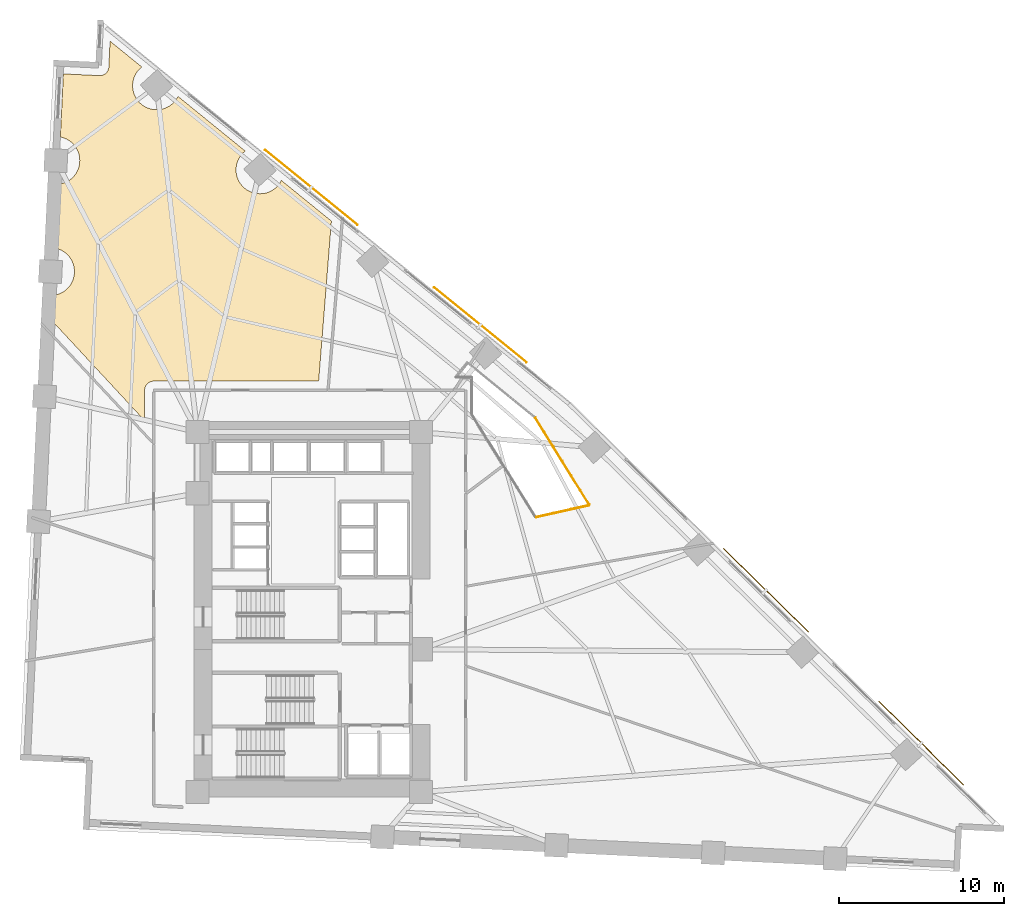
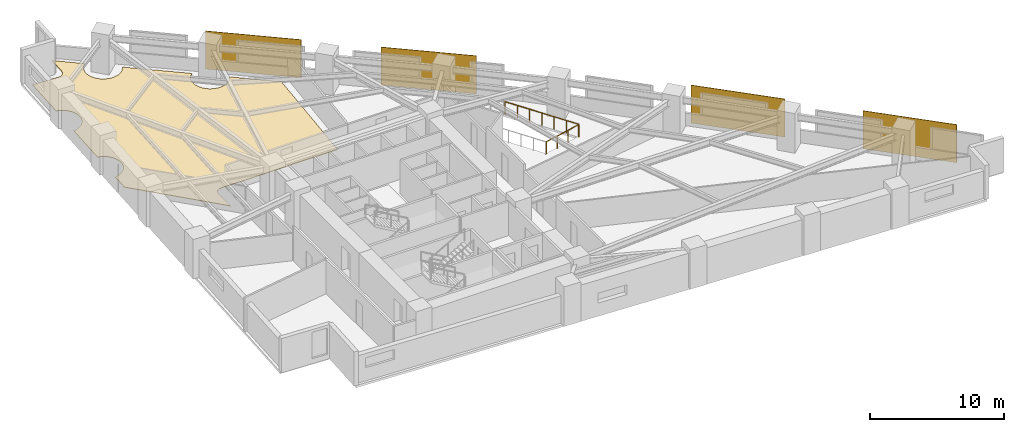
# One storey, part 17 of 17: 4 shading devices, 2 railings, 1 covering.
"""IFC4 building model written with IfcOpenShell, lengths in metres."""

from ifc_helpers import new_model, si_unit, direction, frame, origin, origin_2d, place, context, subcontext, project, spatial, polyline, rectangle, circle, outline, extrude, material, layer, layer_set, type_object, element, save


model = new_model("IFC4")

# Units and contexts
model_context = context("Model", 3, precision=1e-05, world=origin(), true_north=direction((0.0, 1.0)))
body_context = subcontext(model_context, "Body", "Model", "MODEL_VIEW")
ifc_project = project(units=[si_unit("LENGTHUNIT", "METRE"), si_unit("AREAUNIT", "SQUARE_METRE"), si_unit("VOLUMEUNIT", "CUBIC_METRE"), si_unit("PLANEANGLEUNIT", "RADIAN"), si_unit("MASSUNIT", "GRAM", prefix="KILO")], contexts=[model_context])

# Site, building, storey
site_placement = place(None, origin())
site = spatial("IfcSite", under=ifc_project, at=site_placement, CompositionType="ELEMENT")
building_placement = place(site_placement, origin())
building = spatial("IfcBuilding", under=site, at=building_placement, Name="Narakoshi Arena Tower", CompositionType="ELEMENT")
storey_placement = place(building_placement, frame((0.0, 0.0, 55.5)))
storey = spatial("IfcBuildingStorey", under=building, at=storey_placement, Name="L14", CompositionType="ELEMENT", Elevation=55.5)

# Covering
ifc_material_1 = material(Name="Raised steel access floor panel", Category="steel")
ifc_layer_1 = layer(ifc_material_1, 0.044921875)
ifc_layer_set_1 = layer_set([ifc_layer_1], Name="Raised steel access floor panel")
covering_type = type_object("IfcCoveringType", Name="COV-FLR-RF45", PredefinedType="FLOORING", material=ifc_layer_set_1)
covering_placement = place(storey_placement, origin())
element("IfcCovering", 1, at=covering_placement, inside=storey, type_object=covering_type, Name="L14 Raised Steel Access Floor", PredefinedType="FLOORING", context=body_context, shape_type="SweptSolid", body=[
    extrude(outline(polyline([(66.1171875, 78.10009765625), (66.1708984375, 78.10546875), (66.2236328125, 78.1162109375), (66.275390625, 78.1318359375), (66.3251953125, 78.152587890625), (66.372802734375, 78.177978515625), (66.41748046875, 78.2080078125), (66.459228515625, 78.242431640625), (66.497314453125, 78.280517578125), (66.531494140625, 78.322265625), (66.5615234375, 78.3671875), (66.5869140625, 78.414794921875), (66.607666015625, 78.46484375), (66.623291015625, 78.516357421875), (66.633544921875, 78.5693359375), (66.638916015625, 78.623046875), (66.7138671875, 80.185302734375), (68.63623046875, 78.622802734375), (68.611083984375, 78.60400390625), (68.505615234375, 78.508544921875), (68.41015625, 78.403076171875), (68.325439453125, 78.288818359375), (68.252197265625, 78.166748046875), (68.19140625, 78.0380859375), (68.143310546875, 77.904052734375), (68.10888671875, 77.76611328125), (68.087890625, 77.625244140625), (68.0810546875, 77.483154296875), (68.087890625, 77.341064453125), (68.10888671875, 77.2001953125), (68.143310546875, 77.062255859375), (68.19140625, 76.92822265625), (68.252197265625, 76.7998046875), (68.325439453125, 76.677490234375), (68.41015625, 76.563232421875), (68.505615234375, 76.4580078125), (68.611083984375, 76.3623046875), (68.725341796875, 76.277587890625), (68.847412109375, 76.204345703125), (68.97607421875, 76.1435546875), (69.110107421875, 76.095703125), (69.248046875, 76.06103515625), (69.388916015625, 76.040283203125), (69.531005859375, 76.033203125), (69.673095703125, 76.040283203125), (69.81396484375, 76.06103515625), (69.951904296875, 76.095703125), (70.0859375, 76.1435546875), (70.214599609375, 76.204345703125), (70.336669921875, 76.277587890625), (70.450927734375, 76.3623046875), (70.556396484375, 76.4580078125), (70.65185546875, 76.563232421875), (70.736572265625, 76.677490234375), (70.809814453125, 76.7998046875), (70.8291015625, 76.84033203125), (74.899658203125, 73.531982421875), (74.87451171875, 73.51318359375), (74.76904296875, 73.417724609375), (74.67333984375, 73.312255859375), (74.588623046875, 73.197998046875), (74.515380859375, 73.075927734375), (74.45458984375, 72.947265625), (74.40673828125, 72.813232421875), (74.372314453125, 72.67529296875), (74.351318359375, 72.534423828125), (74.34423828125, 72.392333984375), (74.351318359375, 72.250244140625), (74.372314453125, 72.109619140625), (74.40673828125, 71.971435546875), (74.45458984375, 71.83740234375), (74.515380859375, 71.708984375), (74.588623046875, 71.5869140625), (74.67333984375, 71.472412109375), (74.76904296875, 71.3671875), (74.87451171875, 71.271484375), (74.98876953125, 71.186767578125), (75.11083984375, 71.113525390625), (75.239501953125, 71.052734375), (75.373291015625, 71.0048828125), (75.511474609375, 70.97021484375), (75.652099609375, 70.949462890625), (75.794189453125, 70.9423828125), (75.936279296875, 70.949462890625), (76.0771484375, 70.97021484375), (76.215087890625, 71.0048828125), (76.34912109375, 71.052734375), (76.477783203125, 71.113525390625), (76.599853515625, 71.186767578125), (76.714111328125, 71.271484375), (76.819580078125, 71.3671875), (76.915283203125, 71.472412109375), (77.0, 71.5869140625), (77.072998046875, 71.708984375), (77.09228515625, 71.749755859375), (80.121337890625, 69.287841796875), (79.349609375, 59.592529296875), (69.357421875, 59.592529296875), (69.3037109375, 59.58984375), (69.250244140625, 59.581787109375), (69.19775390625, 59.56884765625), (69.14697265625, 59.550537109375), (69.09814453125, 59.527587890625), (69.052001953125, 59.499755859375), (69.008544921875, 59.4677734375), (68.968505859375, 59.431396484375), (68.932373046875, 59.391357421875), (68.900146484375, 59.34814453125), (68.872314453125, 59.3017578125), (68.849365234375, 59.2529296875), (68.831298828125, 59.2021484375), (68.818115234375, 59.14990234375), (68.81005859375, 59.096435546875), (68.8076171875, 59.04248046875), (68.8076171875, 57.198486328125), (63.168701171875, 63.277099609375), (63.2412109375, 64.784912109375), (63.247314453125, 64.785400390625), (63.387939453125, 64.80615234375), (63.52587890625, 64.8408203125), (63.659912109375, 64.888671875), (63.78857421875, 64.949462890625), (63.91064453125, 65.022705078125), (64.02490234375, 65.107421875), (64.13037109375, 65.202880859375), (64.22607421875, 65.308349609375), (64.310791015625, 65.422607421875), (64.3837890625, 65.544921875), (64.444580078125, 65.67333984375), (64.49267578125, 65.807373046875), (64.527099609375, 65.9453125), (64.548095703125, 66.086181640625), (64.55517578125, 66.228271484375), (64.548095703125, 66.370361328125), (64.527099609375, 66.51123046875), (64.49267578125, 66.649169921875), (64.444580078125, 66.783203125), (64.3837890625, 66.911865234375), (64.310791015625, 67.033935546875), (64.22607421875, 67.148193359375), (64.13037109375, 67.253662109375), (64.02490234375, 67.34912109375), (63.91064453125, 67.433837890625), (63.78857421875, 67.507080078125), (63.659912109375, 67.56787109375), (63.52587890625, 67.615966796875), (63.387939453125, 67.650390625), (63.37890625, 67.65185546875), (63.564208984375, 71.51318359375), (63.5703125, 71.513671875), (63.711181640625, 71.534423828125), (63.84912109375, 71.569091796875), (63.983154296875, 71.616943359375), (64.11181640625, 71.677734375), (64.23388671875, 71.7509765625), (64.34814453125, 71.835693359375), (64.45361328125, 71.931396484375), (64.54931640625, 72.03662109375), (64.6337890625, 72.15087890625), (64.70703125, 72.273193359375), (64.767822265625, 72.401611328125), (64.81591796875, 72.53564453125), (64.850341796875, 72.673583984375), (64.871337890625, 72.814453125), (64.87841796875, 72.95654296875), (64.871337890625, 73.0986328125), (64.850341796875, 73.239501953125), (64.81591796875, 73.37744140625), (64.767822265625, 73.511474609375), (64.70703125, 73.64013671875), (64.6337890625, 73.76220703125), (64.54931640625, 73.87646484375), (64.45361328125, 73.98193359375), (64.34814453125, 74.077392578125), (64.23388671875, 74.162109375), (64.11181640625, 74.2353515625), (63.983154296875, 74.296142578125), (63.84912109375, 74.34423828125), (63.711181640625, 74.378662109375), (63.701904296875, 74.380126953125), (63.8857421875, 78.20458984375), (66.06298828125, 78.10009765625), (66.1171875, 78.10009765625)])), origin(), (0.0, 0.0, 1.0), 0.044921875),
])

# Railings
ifc_material_2 = material(Name="Brushed bronze stainless steel", Category="steel")
railing_type = type_object("IfcRailingType", Name="RL-GRD-1150", PredefinedType="GUARDRAIL", material=ifc_material_2)
railing_1_placement = place(storey_placement, frame((92.4658203125, 57.3818359375, 0.0)))
element("IfcRailing", 2, at=railing_1_placement, inside=storey, type_object=railing_type, Name="L14 Sky-Garden Atrium Void Guardrail 6", PredefinedType="GUARDRAIL", context=body_context, shape_type="SweptSolid", body=[
    extrude(circle(Radius=0.02392578125, at=origin_2d()), frame((0.0, 0.0, 1.1259765625), z_axis=(0.527635914903, -0.849470624157, 0.0), x_axis=(0.849470624157, 0.527635914903, 0.0)), (0.0, 0.0, 1.0), 6.208984375),
    extrude(circle(Radius=0.02099609375, at=origin_2d()), origin(), (0.0, 0.0, 1.0), 1.101806640625),
    extrude(circle(Radius=0.02099609375, at=origin_2d()), frame((0.5458984375, -0.879150390625, 0.0)), (0.0, 0.0, 1.0), 1.101806640625),
    extrude(circle(Radius=0.02099609375, at=origin_2d()), frame((1.092041015625, -1.758056640625, 0.0)), (0.0, 0.0, 1.0), 1.101806640625),
    extrude(circle(Radius=0.02099609375, at=origin_2d()), frame((1.63818359375, -2.63720703125, 0.0)), (0.0, 0.0, 1.0), 1.101806640625),
    extrude(circle(Radius=0.02099609375, at=origin_2d()), frame((2.18408203125, -3.516357421875, 0.0)), (0.0, 0.0, 1.0), 1.101806640625),
    extrude(circle(Radius=0.02099609375, at=origin_2d()), frame((2.72998046875, -4.395263671875, 0.0)), (0.0, 0.0, 1.0), 1.101806640625),
    extrude(circle(Radius=0.02099609375, at=origin_2d()), frame((3.276123046875, -5.2744140625, 0.0)), (0.0, 0.0, 1.0), 1.101806640625),
])
railing_2_placement = place(storey_placement, frame((95.72412109375, 52.064453125, 0.0)))
element("IfcRailing", 3, at=railing_2_placement, inside=storey, type_object=railing_type, Name="L14 Sky-Garden Atrium Void Guardrail 7", PredefinedType="GUARDRAIL", context=body_context, shape_type="SweptSolid", body=[
    extrude(circle(Radius=0.02392578125, at=origin_2d()), frame((0.0, 0.0, 1.1259765625), z_axis=(-0.975700925248, -0.219106605264, 0.0), x_axis=(0.219106605264, -0.975700925248, 0.0)), (0.0, 0.0, 1.0), 3.265869140625),
    extrude(circle(Radius=0.02099609375, at=origin_2d()), origin(), (0.0, 0.0, 1.0), 1.101806640625),
    extrude(circle(Radius=0.02099609375, at=origin_2d()), frame((-1.062255859375, -0.238525390625, 0.0)), (0.0, 0.0, 1.0), 1.101806640625),
    extrude(circle(Radius=0.02099609375, at=origin_2d()), frame((-2.124267578125, -0.47705078125, 0.0)), (0.0, 0.0, 1.0), 1.101806640625),
    extrude(circle(Radius=0.02099609375, at=origin_2d()), frame((-3.1865234375, -0.715576171875, 0.0)), (0.0, 0.0, 1.0), 1.101806640625),
])

# Shading devices
ifc_material_3 = material(Name="Perforated bronze ceramic-metal composite")
ifc_layer_2 = layer(ifc_material_3, 0.044921875)
ifc_layer_set_2 = layer_set([ifc_layer_2], Name="Perforated bronze ceramic-metal composite")
shading_device_type = type_object("IfcShadingDeviceType", Name="SHD-SCR-BRZ1", PredefinedType="USERDEFINED", material=ifc_layer_set_2)
for number, where, z_axis, x_axis, name in (
    (4, (115.85498046875, 37.660400390625, 0.0), (0.0, 0.0, 1.0), (-0.712540559713, 0.70163092204, 0.0), "L14 Perforated Bronze Solar Screen 1-1"),
    (5, (106.44970703125, 46.921875, 0.0), (0.0, 0.0, 1.0), (-0.712540559713, 0.70163092204, 0.0), "L14 Perforated Bronze Solar Screen 1-2"),
    (6, (89.14208984375, 63.002685546875, 0.0), (0.0, 0.0, 1.0), (-0.776002375698, 0.630729984154, 0.0), "L14 Perforated Bronze Solar Screen 2-1"),
    (7, (78.898681640625, 71.328369140625, 0.0), (0.0, 0.0, 1.0), (-0.776002375698, 0.630729984154, 0.0), "L14 Perforated Bronze Solar Screen 2-2"),
):
    element("IfcShadingDevice", number, at=place(storey_placement, frame(where, z_axis=z_axis, x_axis=x_axis)), inside=storey, type_object=shading_device_type, Name=name, ObjectType="SOLAR SCREEN", PredefinedType="USERDEFINED", context=body_context, shape_type="SweptSolid", body=[
        extrude(rectangle(XDim=7.199951171875, YDim=0.044921875, at=origin_2d()), origin(), (0.0, 0.0, 1.0), 3.449951171875),
    ])

save(model, "model.ifc")
